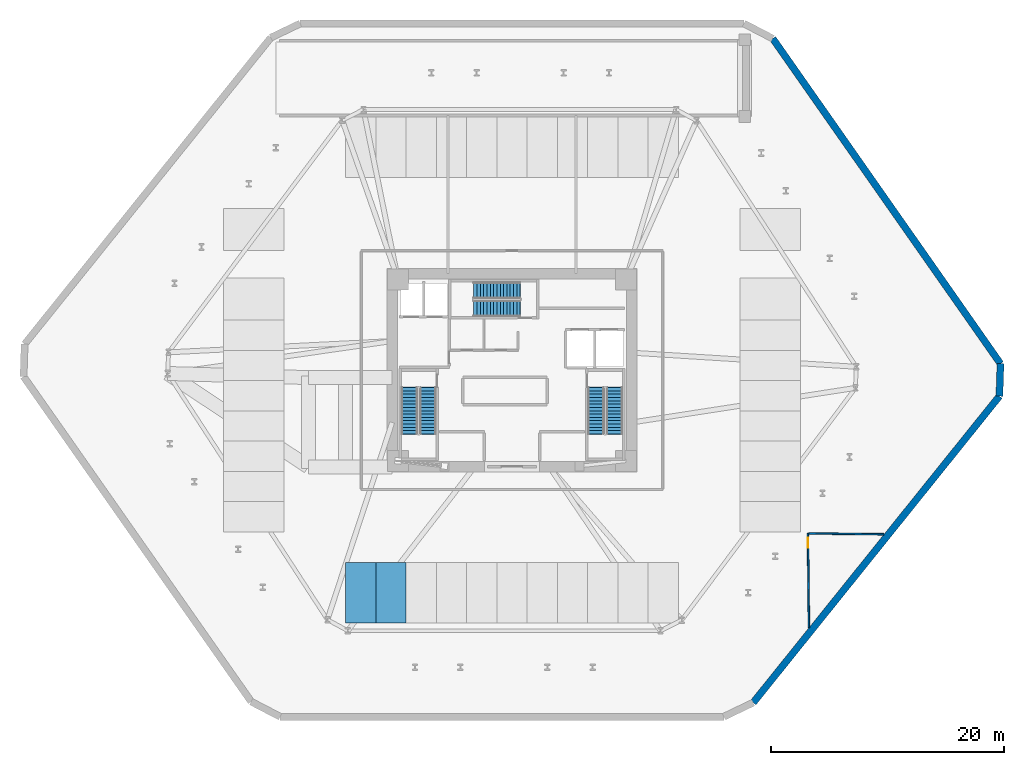
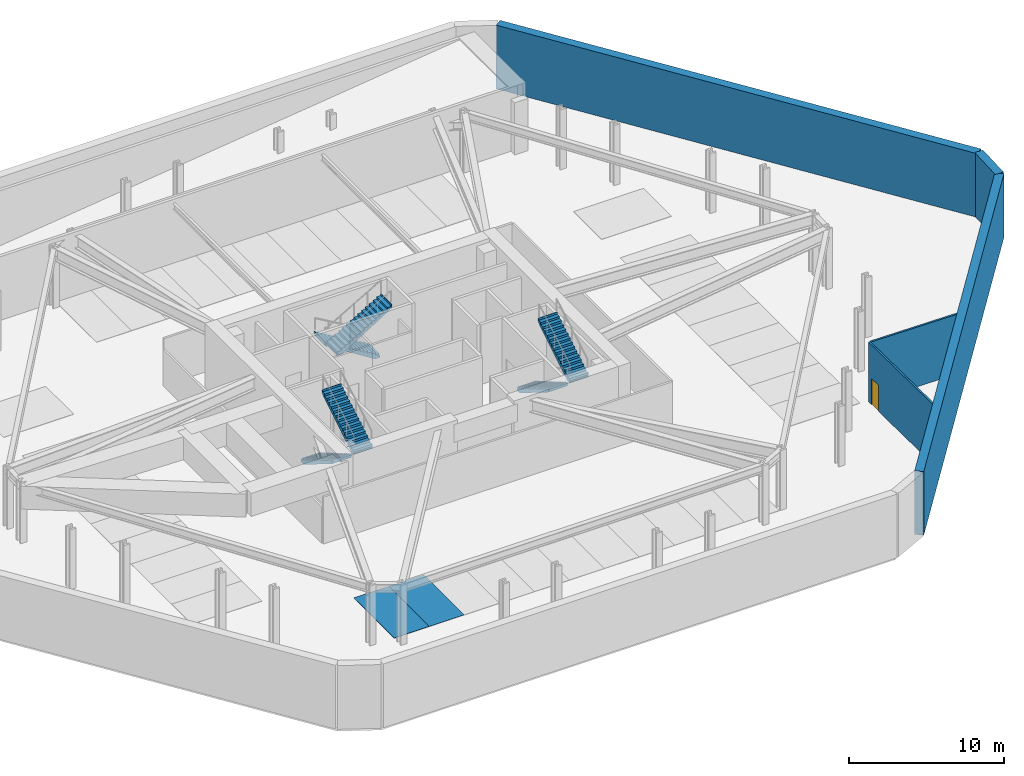
# One storey, part 6 of 8: 6 stair flights, 5 walls, 2 discrete accessories, 1 door, 1 opening, 3 elements without a shape of their own.
"""IFC4 building model written with IfcOpenShell, lengths in metres."""

from ifc_helpers import new_model, si_unit, direction, frame, frame_2d, origin, origin_2d, place, context, subcontext, project, spatial, polyline, rectangle, outline, extrude, source, transform, mapped, material, layer, layer_set, type_object, type_shapes, element, fill, aggregate, save


model = new_model("IFC4")

# Units and contexts
model_context = context("Model", 3, precision=1e-05, world=origin(), true_north=direction((0.0, 1.0)))
body_context = subcontext(model_context, "Body", "Model", "MODEL_VIEW")
ifc_project = project(units=[si_unit("LENGTHUNIT", "METRE"), si_unit("AREAUNIT", "SQUARE_METRE"), si_unit("VOLUMEUNIT", "CUBIC_METRE"), si_unit("PLANEANGLEUNIT", "RADIAN"), si_unit("MASSUNIT", "GRAM", prefix="KILO")], contexts=[model_context])

# Site, building, storey
site_placement = place(None, origin())
site = spatial("IfcSite", under=ifc_project, at=site_placement, CompositionType="ELEMENT")
building_placement = place(site_placement, origin())
building = spatial("IfcBuilding", under=site, at=building_placement, Name="Durnholm Broadcast Tower", CompositionType="ELEMENT")
storey_placement = place(building_placement, frame((0.0, 0.0, -5.0)))
storey = spatial("IfcBuildingStorey", under=building, at=storey_placement, Name="B01", CompositionType="ELEMENT", Elevation=-5.0)

# Wall, opening, door
ifc_material_1 = material(Name="Gypsum Metal Stud Partition", Category="concrete")
ifc_layer_1 = layer(ifc_material_1, 0.135009765625)
ifc_layer_set_1 = layer_set([ifc_layer_1], Name="Gypsum Metal Stud Partition")
wall_type_1 = type_object("IfcWallType", Name="WALL-PART-135", PredefinedType="PARTITIONING", material=ifc_layer_set_1)
wall_1_placement = place(storey_placement, frame((25.43994140625, -14.0400390625, 0.0), z_axis=(0.0, 0.0, 1.0), x_axis=(0.010913484127, -0.999940446159, 0.0)))
wall_1 = element("IfcWall", 1, at=wall_1_placement, inside=storey, type_object=wall_type_1, Name="B01 room dividing partition 3.4", PredefinedType="PARTITIONING", context=body_context, shape_type="SweptSolid", body=[
    extrude(rectangle(XDim=8.09814453125, YDim=0.135009765625, at=frame_2d((4.049072265625, 0.0))), origin(), (0.0, 0.0, 1.0), 4.68505859375),
])
opening_placement = place(wall_1_placement, frame((0.35009765625, 0.0, 0.0)))
opening = element("IfcOpeningElement", 2, at=opening_placement, cuts=wall_1, Name="Opening DW-90L", PredefinedType="OPENING", context=body_context, shape_type="SweptSolid", body=[
    extrude(rectangle(XDim=0.89990234375, YDim=2.050048828125, at=frame_2d((0.449951171875, 1.02490234375))), frame((0.0, 0.07763671875, 0.0), z_axis=(0.0, -1.0, 0.0), x_axis=(1.0, 0.0, 0.0)), (0.0, 0.0, 1.0), 0.155029296875),
])
ifc_material_2 = material(Name="Laminate Restroom Door", Category="steel")
ifc_layer_2 = layer(ifc_material_2, 0.050048828125)
ifc_layer_set_2 = layer_set([ifc_layer_2], Name="Laminate Restroom Door")
door_type = type_object("IfcDoorType", Name="DOOR-WC-900L", OperationType="NOTDEFINED", PredefinedType="DOOR", material=ifc_layer_set_2)
shared_shape_1 = source(origin(), body_context, "Body", "SweptSolid", [
    extrude(rectangle(XDim=0.89990234375, YDim=2.050048828125, at=frame_2d((0.449951171875, 1.02490234375))), frame((0.0, 0.02490234375, 0.0), z_axis=(0.0, -1.0, 0.0), x_axis=(1.0, 0.0, 0.0)), (0.0, 0.0, 1.0), 0.050048828125),
])
type_shapes(door_type, [shared_shape_1])
door_placement = place(opening_placement, origin())
door = element("IfcDoor", 3, at=door_placement, inside=storey, type_object=door_type, Name="B01 Broadcast OB Van and Scene Storage connecting door", OperationType="SINGLE_SWING_LEFT", OverallHeight=2.050048828125, OverallWidth=0.89990234375, PredefinedType="DOOR", context=body_context, shape_type="MappedRepresentation", body=[
    mapped(shared_shape_1, transform((0.0, 0.0, 0.0), x_axis=(1.0, 0.0, 0.0), y_axis=(0.0, 1.0, 0.0), z_axis=(0.0, 0.0, 1.0), scale=1.0)),
])
fill(opening, door)

# Walls
wall_2_placement = place(storey_placement, frame((31.9765625, -14.111083984375, 0.0), z_axis=(0.0, 0.0, 1.0), x_axis=(-0.999940864579, 0.010875079076, 0.0)))
element("IfcWall", 4, at=wall_2_placement, inside=storey, type_object=wall_type_1, Name="B01 room dividing partition 3.4", PredefinedType="PARTITIONING", context=body_context, shape_type="SweptSolid", body=[
    extrude(rectangle(XDim=6.465576171875, YDim=0.135009765625, at=frame_2d((3.23291015625, 0.0))), origin(), (0.0, 0.0, 1.0), 4.68505859375),
])
ifc_material_3 = material(Name="Concrete C50/60", Category="concrete")
ifc_layer_3 = layer(ifc_material_3, 0.60009765625)
ifc_layer_set_3 = layer_set([ifc_layer_3], Name="Concrete C50/60")
wall_type_2 = type_object("IfcWallType", Name="WALL-RET-600", PredefinedType="USERDEFINED", material=ifc_layer_set_3)
wall_3_placement = place(storey_placement, frame((20.736572265625, -28.589599609375, 0.0), z_axis=(0.0, 0.0, 1.0), x_axis=(0.626280274315, 0.779597984864, 0.0)))
element("IfcWall", 5, at=wall_3_placement, inside=storey, type_object=wall_type_2, Name="B01 perimeter retaining wall 4", ObjectType="RETAININGWALL", PredefinedType="USERDEFINED", context=body_context, shape_type="SweptSolid", body=[
    extrude(rectangle(XDim=33.79833984375, YDim=0.60009765625, at=frame_2d((16.899169921875, 0.0))), origin(), (0.0, 0.0, 1.0), 5.0),
])
wall_4_placement = place(storey_placement, frame((41.90380859375, -2.240478515625, 0.0), z_axis=(0.0, 0.0, 1.0), x_axis=(0.032870651185, 0.999459614137, 0.0)))
element("IfcWall", 6, at=wall_4_placement, inside=storey, type_object=wall_type_2, Name="B01 perimeter retaining wall 5", ObjectType="RETAININGWALL", PredefinedType="USERDEFINED", context=body_context, shape_type="SweptSolid", body=[
    extrude(rectangle(XDim=2.800048828125, YDim=0.60009765625, at=frame_2d((1.39990234375, 0.0))), origin(), (0.0, 0.0, 1.0), 5.0),
])
wall_5_placement = place(storey_placement, frame((41.995849609375, 0.55810546875, 0.0), z_axis=(0.0, 0.0, 1.0), x_axis=(-0.573667370151, 0.819088364234, 0.0)))
element("IfcWall", 7, at=wall_5_placement, inside=storey, type_object=wall_type_2, Name="B01 perimeter retaining wall 6", ObjectType="RETAININGWALL", PredefinedType="USERDEFINED", context=body_context, shape_type="SweptSolid", body=[
    extrude(rectangle(XDim=34.1220703125, YDim=0.60009765625, at=frame_2d((17.06103515625, 0.0))), origin(), (0.0, 0.0, 1.0), 5.0),
])

# Stair, stair flights
stair_type = type_object("IfcStairType", Name="STAIR-DL-30R1667", PredefinedType="HALF_TURN_STAIR", material=ifc_material_3)
stair_1_placement = place(storey_placement, origin())
stair_1 = element("IfcStair", 8, at=stair_1_placement, inside=storey, type_object=stair_type, Name="B01 ST-1", PredefinedType="HALF_TURN_STAIR")
stair_flight_type = type_object("IfcStairFlightType", Name="FLIGHT-DL-30R1667", PredefinedType="STRAIGHT", material=ifc_material_3)
stair_flight_1_placement = place(storey_placement, frame((-8.800048828125, -1.5, 0.0), z_axis=(0.0, 0.0, 1.0), x_axis=(0.0, -1.0, 0.0)))
stair_flight_1 = element("IfcStairFlight", 9, at=stair_flight_1_placement, type_object=stair_flight_type, Name="ST-1 flight 1", NumberOfRisers=15, NumberOfTreads=14, PredefinedType="STRAIGHT", RiserHeight=0.166666667, TreadLength=0.285, context=body_context, shape_type="SweptSolid", body=[
    extrude(outline(polyline([(-0.0400390625, -0.14990234375), (-0.0400390625, 0.0), (0.0, 0.0), (0.0, 0.166748046875), (0.284912109375, 0.166748046875), (0.284912109375, 0.333251953125), (0.570068359375, 0.333251953125), (0.570068359375, 0.5), (0.85498046875, 0.5), (0.85498046875, 0.666748046875), (1.139892578125, 0.666748046875), (1.139892578125, 0.833251953125), (1.425048828125, 0.833251953125), (1.425048828125, 1.0), (1.7099609375, 1.0), (1.7099609375, 1.166748046875), (1.9951171875, 1.166748046875), (1.9951171875, 1.333251953125), (2.280029296875, 1.333251953125), (2.280029296875, 1.5), (2.56494140625, 1.5), (2.56494140625, 1.666748046875), (2.85009765625, 1.666748046875), (2.85009765625, 1.833251953125), (3.135009765625, 1.833251953125), (3.135009765625, 2.0), (3.419921875, 2.0), (3.419921875, 2.166748046875), (3.705078125, 2.166748046875), (3.705078125, 2.333251953125), (3.989990234375, 2.333251953125), (3.989990234375, 2.5), (4.030029296875, 2.5), (4.030029296875, 2.35009765625), (3.989990234375, 2.15966796875), (0.296875, -0.14990234375), (-0.0400390625, -0.14990234375)])), frame((0.0, 0.699951171875, 0.0), z_axis=(0.0, -1.0, 0.0), x_axis=(1.0, 0.0, 0.0)), (0.0, 0.0, 1.0), 1.39990234375),
])
stair_flight_2_placement = place(storey_placement, frame((-7.239990234375, -5.489990234375, 2.5), z_axis=(0.0, 0.0, 1.0), x_axis=(0.0, 1.0, 0.0)))
stair_flight_2 = element("IfcStairFlight", 10, at=stair_flight_2_placement, type_object=stair_flight_type, Name="ST-1 flight 2", NumberOfRisers=15, NumberOfTreads=14, PredefinedType="STRAIGHT", RiserHeight=0.166666667, TreadLength=0.285, context=body_context, shape_type="SweptSolid", body=[
    extrude(outline(polyline([(-0.0400390625, -0.14990234375), (-0.0400390625, 0.0), (0.0, 0.0), (0.0, 0.166748046875), (0.284912109375, 0.166748046875), (0.284912109375, 0.333251953125), (0.570068359375, 0.333251953125), (0.570068359375, 0.5), (0.85498046875, 0.5), (0.85498046875, 0.666748046875), (1.139892578125, 0.666748046875), (1.139892578125, 0.833251953125), (1.425048828125, 0.833251953125), (1.425048828125, 1.0), (1.7099609375, 1.0), (1.7099609375, 1.166748046875), (1.9951171875, 1.166748046875), (1.9951171875, 1.333251953125), (2.280029296875, 1.333251953125), (2.280029296875, 1.5), (2.56494140625, 1.5), (2.56494140625, 1.666748046875), (2.85009765625, 1.666748046875), (2.85009765625, 1.833251953125), (3.135009765625, 1.833251953125), (3.135009765625, 2.0), (3.419921875, 2.0), (3.419921875, 2.166748046875), (3.705078125, 2.166748046875), (3.705078125, 2.333251953125), (3.989990234375, 2.333251953125), (3.989990234375, 2.5), (4.030029296875, 2.5), (4.030029296875, 2.35009765625), (3.989990234375, 2.15966796875), (0.296875, -0.14990234375), (-0.0400390625, -0.14990234375)])), frame((0.0, 0.699951171875, 0.0), z_axis=(0.0, -1.0, 0.0), x_axis=(1.0, 0.0, 0.0)), (0.0, 0.0, 1.0), 1.39990234375),
])
aggregate(stair_1, [stair_flight_1, stair_flight_2])

stair_2_placement = place(storey_placement, origin())
stair_2 = element("IfcStair", 11, at=stair_2_placement, inside=storey, type_object=stair_type, Name="B01 ST-2", PredefinedType="HALF_TURN_STAIR")
stair_flight_3_placement = place(storey_placement, frame((7.239990234375, -1.5, 0.0), z_axis=(0.0, 0.0, 1.0), x_axis=(0.0, -1.0, 0.0)))
stair_flight_3 = element("IfcStairFlight", 12, at=stair_flight_3_placement, type_object=stair_flight_type, Name="ST-2 flight 1", NumberOfRisers=15, NumberOfTreads=14, PredefinedType="STRAIGHT", RiserHeight=0.166666667, TreadLength=0.285, context=body_context, shape_type="SweptSolid", body=[
    extrude(outline(polyline([(-0.0400390625, -0.14990234375), (-0.0400390625, 0.0), (0.0, 0.0), (0.0, 0.166748046875), (0.284912109375, 0.166748046875), (0.284912109375, 0.333251953125), (0.570068359375, 0.333251953125), (0.570068359375, 0.5), (0.85498046875, 0.5), (0.85498046875, 0.666748046875), (1.139892578125, 0.666748046875), (1.139892578125, 0.833251953125), (1.425048828125, 0.833251953125), (1.425048828125, 1.0), (1.7099609375, 1.0), (1.7099609375, 1.166748046875), (1.9951171875, 1.166748046875), (1.9951171875, 1.333251953125), (2.280029296875, 1.333251953125), (2.280029296875, 1.5), (2.56494140625, 1.5), (2.56494140625, 1.666748046875), (2.85009765625, 1.666748046875), (2.85009765625, 1.833251953125), (3.135009765625, 1.833251953125), (3.135009765625, 2.0), (3.419921875, 2.0), (3.419921875, 2.166748046875), (3.705078125, 2.166748046875), (3.705078125, 2.333251953125), (3.989990234375, 2.333251953125), (3.989990234375, 2.5), (4.030029296875, 2.5), (4.030029296875, 2.35009765625), (3.989990234375, 2.15966796875), (0.296875, -0.14990234375), (-0.0400390625, -0.14990234375)])), frame((0.0, 0.699951171875, 0.0), z_axis=(0.0, -1.0, 0.0), x_axis=(1.0, 0.0, 0.0)), (0.0, 0.0, 1.0), 1.39990234375),
])
stair_flight_4_placement = place(storey_placement, frame((8.800048828125, -5.489990234375, 2.5), z_axis=(0.0, 0.0, 1.0), x_axis=(0.0, 1.0, 0.0)))
stair_flight_4 = element("IfcStairFlight", 13, at=stair_flight_4_placement, type_object=stair_flight_type, Name="ST-2 flight 2", NumberOfRisers=15, NumberOfTreads=14, PredefinedType="STRAIGHT", RiserHeight=0.166666667, TreadLength=0.285, context=body_context, shape_type="SweptSolid", body=[
    extrude(outline(polyline([(-0.0400390625, -0.14990234375), (-0.0400390625, 0.0), (0.0, 0.0), (0.0, 0.166748046875), (0.284912109375, 0.166748046875), (0.284912109375, 0.333251953125), (0.570068359375, 0.333251953125), (0.570068359375, 0.5), (0.85498046875, 0.5), (0.85498046875, 0.666748046875), (1.139892578125, 0.666748046875), (1.139892578125, 0.833251953125), (1.425048828125, 0.833251953125), (1.425048828125, 1.0), (1.7099609375, 1.0), (1.7099609375, 1.166748046875), (1.9951171875, 1.166748046875), (1.9951171875, 1.333251953125), (2.280029296875, 1.333251953125), (2.280029296875, 1.5), (2.56494140625, 1.5), (2.56494140625, 1.666748046875), (2.85009765625, 1.666748046875), (2.85009765625, 1.833251953125), (3.135009765625, 1.833251953125), (3.135009765625, 2.0), (3.419921875, 2.0), (3.419921875, 2.166748046875), (3.705078125, 2.166748046875), (3.705078125, 2.333251953125), (3.989990234375, 2.333251953125), (3.989990234375, 2.5), (4.030029296875, 2.5), (4.030029296875, 2.35009765625), (3.989990234375, 2.15966796875), (0.296875, -0.14990234375), (-0.0400390625, -0.14990234375)])), frame((0.0, 0.699951171875, 0.0), z_axis=(0.0, -1.0, 0.0), x_axis=(1.0, 0.0, 0.0)), (0.0, 0.0, 1.0), 1.39990234375),
])
aggregate(stair_2, [stair_flight_3, stair_flight_4])

stair_3_placement = place(storey_placement, origin())
stair_3 = element("IfcStair", 14, at=stair_3_placement, inside=storey, type_object=stair_type, Name="B01 ST-3", PredefinedType="HALF_TURN_STAIR")
stair_flight_5_placement = place(storey_placement, frame((0.699951171875, 6.860107421875, 0.0), z_axis=(0.0, 0.0, 1.0), x_axis=(-1.0, 0.0, 0.0)))
stair_flight_5 = element("IfcStairFlight", 15, at=stair_flight_5_placement, type_object=stair_flight_type, Name="ST-3 flight 1", NumberOfRisers=15, NumberOfTreads=14, PredefinedType="STRAIGHT", RiserHeight=0.166666667, TreadLength=0.285, context=body_context, shape_type="SweptSolid", body=[
    extrude(outline(polyline([(-0.0400390625, -0.14990234375), (-0.0400390625, 0.0), (0.0, 0.0), (0.0, 0.166748046875), (0.284912109375, 0.166748046875), (0.284912109375, 0.333251953125), (0.570068359375, 0.333251953125), (0.570068359375, 0.5), (0.85498046875, 0.5), (0.85498046875, 0.666748046875), (1.139892578125, 0.666748046875), (1.139892578125, 0.833251953125), (1.425048828125, 0.833251953125), (1.425048828125, 1.0), (1.7099609375, 1.0), (1.7099609375, 1.166748046875), (1.9951171875, 1.166748046875), (1.9951171875, 1.333251953125), (2.280029296875, 1.333251953125), (2.280029296875, 1.5), (2.56494140625, 1.5), (2.56494140625, 1.666748046875), (2.85009765625, 1.666748046875), (2.85009765625, 1.833251953125), (3.135009765625, 1.833251953125), (3.135009765625, 2.0), (3.419921875, 2.0), (3.419921875, 2.166748046875), (3.705078125, 2.166748046875), (3.705078125, 2.333251953125), (3.989990234375, 2.333251953125), (3.989990234375, 2.5), (4.030029296875, 2.5), (4.030029296875, 2.35009765625), (3.989990234375, 2.15966796875), (0.296875, -0.14990234375), (-0.0400390625, -0.14990234375)])), frame((0.0, 0.699951171875, 0.0), z_axis=(0.0, -1.0, 0.0), x_axis=(1.0, 0.0, 0.0)), (0.0, 0.0, 1.0), 1.39990234375),
])
stair_flight_6_placement = place(storey_placement, frame((-3.2900390625, 5.300048828125, 2.5), z_axis=(0.0, 0.0, 1.0), x_axis=(1.0, 0.0, 0.0)))
stair_flight_6 = element("IfcStairFlight", 16, at=stair_flight_6_placement, type_object=stair_flight_type, Name="ST-3 flight 2", NumberOfRisers=15, NumberOfTreads=14, PredefinedType="STRAIGHT", RiserHeight=0.166666667, TreadLength=0.285, context=body_context, shape_type="SweptSolid", body=[
    extrude(outline(polyline([(-0.0400390625, -0.14990234375), (-0.0400390625, 0.0), (0.0, 0.0), (0.0, 0.166748046875), (0.284912109375, 0.166748046875), (0.284912109375, 0.333251953125), (0.570068359375, 0.333251953125), (0.570068359375, 0.5), (0.85498046875, 0.5), (0.85498046875, 0.666748046875), (1.139892578125, 0.666748046875), (1.139892578125, 0.833251953125), (1.425048828125, 0.833251953125), (1.425048828125, 1.0), (1.7099609375, 1.0), (1.7099609375, 1.166748046875), (1.9951171875, 1.166748046875), (1.9951171875, 1.333251953125), (2.280029296875, 1.333251953125), (2.280029296875, 1.5), (2.56494140625, 1.5), (2.56494140625, 1.666748046875), (2.85009765625, 1.666748046875), (2.85009765625, 1.833251953125), (3.135009765625, 1.833251953125), (3.135009765625, 2.0), (3.419921875, 2.0), (3.419921875, 2.166748046875), (3.705078125, 2.166748046875), (3.705078125, 2.333251953125), (3.989990234375, 2.333251953125), (3.989990234375, 2.5), (4.030029296875, 2.5), (4.030029296875, 2.35009765625), (3.989990234375, 2.15966796875), (0.296875, -0.14990234375), (-0.0400390625, -0.14990234375)])), frame((0.0, 0.699951171875, 0.0), z_axis=(0.0, -1.0, 0.0), x_axis=(1.0, 0.0, 0.0)), (0.0, 0.0, 1.0), 1.39990234375),
])
aggregate(stair_3, [stair_flight_5, stair_flight_6])

# Discrete accessories
ifc_material_4 = material(Name="Thermoplastic Traffic Striping Paint", Category="coating")
discrete_accessory_type = type_object("IfcDiscreteAccessoryType", Name="ACC-PARK-STD", PredefinedType="USERDEFINED", material=ifc_material_4)
shared_shape_2 = source(origin(), body_context, "Body", "SweptSolid", [
    extrude(rectangle(XDim=2.60009765625, YDim=5.199951171875, at=origin_2d()), origin(), (0.0, 0.0, 1.0), 0.02001953125),
])
type_shapes(discrete_accessory_type, [shared_shape_2])
for number, where, z_axis, x_axis, name in (
    (17, (-13.0, -19.14990234375, 0.0), (0.0, 0.0, 1.0), (1.0, 0.0, 0.0), "B01 Standard Parking Bay Marking PK-12"),
    (18, (-10.39990234375, -19.14990234375, 0.0), (0.0, 0.0, 1.0), (1.0, 0.0, 0.0), "B01 Standard Parking Bay Marking PK-13"),
):
    element("IfcDiscreteAccessory", number, at=place(storey_placement, frame(where, z_axis=z_axis, x_axis=x_axis)), inside=storey, type_object=discrete_accessory_type, Name=name, ObjectType="PARKING_BAY_MARKING", PredefinedType="USERDEFINED", context=body_context, shape_type="MappedRepresentation", body=[
        mapped(shared_shape_2, transform((0.0, 0.0, 0.0), x_axis=(1.0, 0.0, 0.0), y_axis=(0.0, 1.0, 0.0), z_axis=(0.0, 0.0, 1.0), scale=1.0)),
    ])

save(model, "model.ifc")
